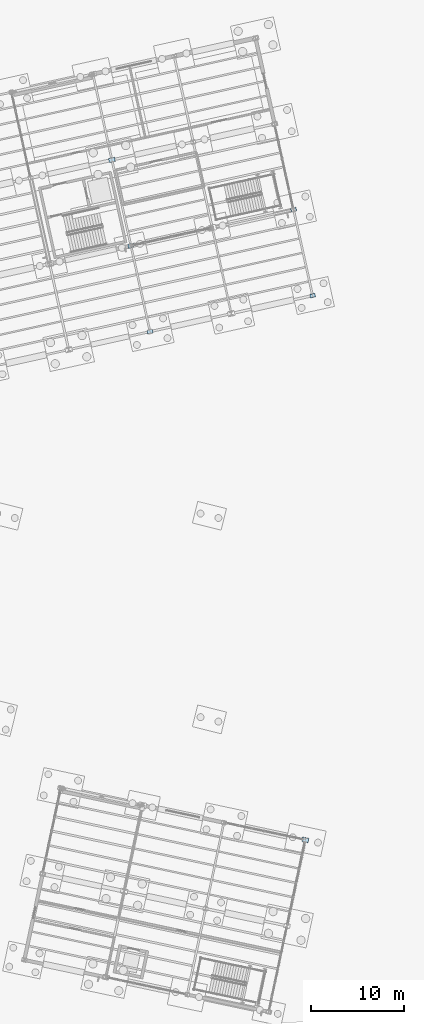
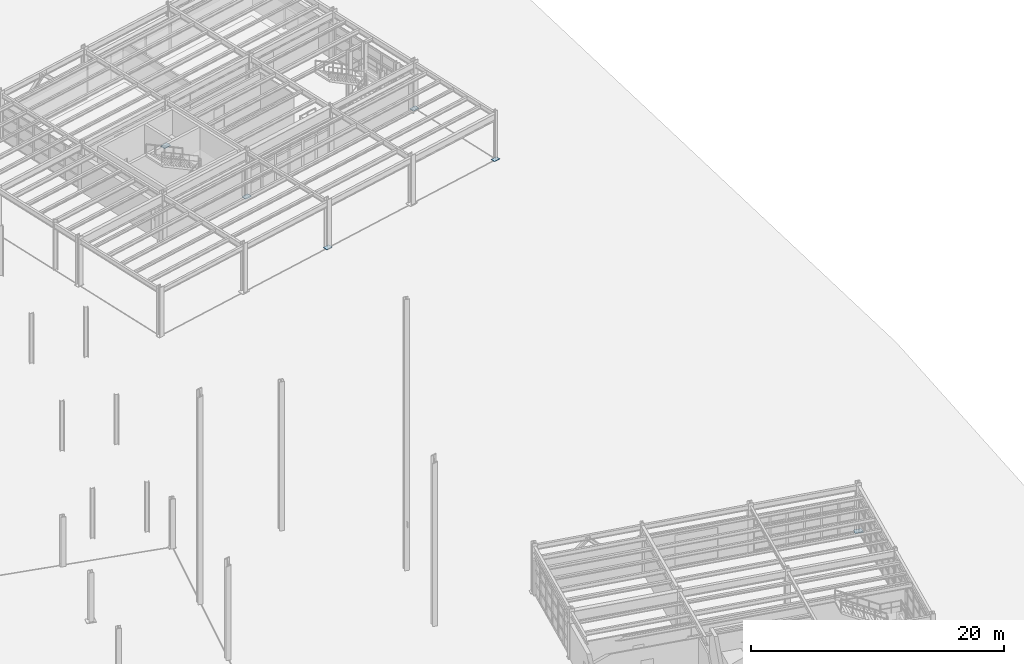
# One storey, part 82 of 108: 6 plates.
"""IFC4 building model written with IfcOpenShell, lengths in metres."""

from ifc_helpers import new_model, si_unit, direction, frame, origin, origin_2d, place, context, subcontext, project, spatial, rectangle, extrude, material, layer, layer_set, type_object, element, save


model = new_model("IFC4")

# Units and contexts
model_context = context("Model", 3, precision=1e-05, world=origin(), true_north=direction((0.0, 1.0)))
body_context = subcontext(model_context, "Body", "Model", "MODEL_VIEW")
ifc_project = project(units=[si_unit("LENGTHUNIT", "METRE"), si_unit("AREAUNIT", "SQUARE_METRE"), si_unit("VOLUMEUNIT", "CUBIC_METRE"), si_unit("PLANEANGLEUNIT", "RADIAN"), si_unit("MASSUNIT", "GRAM", prefix="KILO")], contexts=[model_context])

# Site, building, storey
site_placement = place(None, origin())
site = spatial("IfcSite", under=ifc_project, at=site_placement, CompositionType="ELEMENT")
building_placement = place(site_placement, origin())
building = spatial("IfcBuilding", under=site, at=building_placement, Name="Vireo Bluff Cable Station", CompositionType="ELEMENT")
storey_placement = place(building_placement, origin())
storey = spatial("IfcBuildingStorey", under=building, at=storey_placement, Name="L00", CompositionType="ELEMENT", Elevation=0.0)

# Plates
ifc_material = material(Name="Steel ASTM A572 Gr. 50", Category="steel")
ifc_layer_1 = layer(ifc_material, 0.031982421875, Name="Steel ASTM A572 Gr. 50")
ifc_layer_set_1 = layer_set([ifc_layer_1], Name="Steel ASTM A572 Gr. 50")
plate_type_1 = type_object("IfcPlateType", Name="BASEPLATE-560X400X32", PredefinedType="SHEET", material=ifc_layer_set_1)
plate_1_placement = place(storey_placement, frame((161.146728515625, 81.791748046875, 0.0), z_axis=(0.0, 0.0, 1.0), x_axis=(0.97629600712, 0.216439613938, 0.0)))
element("IfcPlate", 1, at=plate_1_placement, inside=storey, type_object=plate_type_1, Name="V2 column baseplate 82", PredefinedType="SHEET", context=body_context, shape_type="SweptSolid", body=[
    extrude(rectangle(XDim=0.56005859375, YDim=0.39990234375, at=origin_2d()), origin(), (0.0, 0.0, 1.0), 0.031982421875),
])
ifc_layer_2 = layer(ifc_material, 0.033935546875, Name="Steel ASTM A572 Gr. 50")
ifc_layer_set_2 = layer_set([ifc_layer_2], Name="Steel ASTM A572 Gr. 50")
plate_type_2 = type_object("IfcPlateType", Name="BASEPLATE-580X420X34", PredefinedType="SHEET", material=ifc_layer_set_2)
plate_2_placement = place(storey_placement, frame((143.5732421875, 77.89599609375, 0.0), z_axis=(0.0, 0.0, 1.0), x_axis=(0.97629600712, 0.216439613938, 0.0)))
element("IfcPlate", 2, at=plate_2_placement, inside=storey, type_object=plate_type_2, Name="V2 column baseplate 74", PredefinedType="SHEET", context=body_context, shape_type="SweptSolid", body=[
    extrude(rectangle(XDim=0.580078125, YDim=0.419921875, at=origin_2d()), origin(), (0.0, 0.0, 1.0), 0.033935546875),
])
ifc_layer_3 = layer(ifc_material, 0.035888671875, Name="Steel ASTM A572 Gr. 50")
ifc_layer_set_3 = layer_set([ifc_layer_3], Name="Steel ASTM A572 Gr. 50")
plate_type_3 = type_object("IfcPlateType", Name="BASEPLATE-600X440X36", PredefinedType="SHEET", material=ifc_layer_set_3)
plate_3_placement = place(storey_placement, frame((159.090576171875, 91.066650390625, 0.0), z_axis=(0.0, 0.0, 1.0), x_axis=(0.97629600712, 0.216439613938, 0.0)))
element("IfcPlate", 3, at=plate_3_placement, inside=storey, type_object=plate_type_3, Name="V2 column baseplate 83", PredefinedType="SHEET", context=body_context, shape_type="SweptSolid", body=[
    extrude(rectangle(XDim=0.60009765625, YDim=0.43994140625, at=origin_2d()), origin(), (0.0, 0.0, 1.0), 0.035888671875),
])
ifc_layer_4 = layer(ifc_material, 0.0380859375, Name="Steel ASTM A572 Gr. 50")
ifc_layer_set_4 = layer_set([ifc_layer_4], Name="Steel ASTM A572 Gr. 50")
plate_type_4 = type_object("IfcPlateType", Name="BASEPLATE-620X450X38", PredefinedType="SHEET", material=ifc_layer_set_4)
plate_4_placement = place(storey_placement, frame((141.51708984375, 87.170654296875, 0.0), z_axis=(0.0, 0.0, 1.0), x_axis=(0.97629600712, 0.216439613938, 0.0)))
element("IfcPlate", 4, at=plate_4_placement, inside=storey, type_object=plate_type_4, Name="V2 column baseplate 75", PredefinedType="SHEET", context=body_context, shape_type="SweptSolid", body=[
    extrude(rectangle(XDim=0.6201171875, YDim=0.449951171875, at=origin_2d()), origin(), (0.0, 0.0, 1.0), 0.0380859375),
])
ifc_layer_5 = layer(ifc_material, 0.041015625, Name="Steel ASTM A572 Gr. 50")
ifc_layer_set_5 = layer_set([ifc_layer_5], Name="Steel ASTM A572 Gr. 50")
plate_type_5 = type_object("IfcPlateType", Name="BASEPLATE-660X480X41", PredefinedType="SHEET", material=ifc_layer_set_5)
plate_5_placement = place(storey_placement, frame((139.4609375, 96.445556640625, 0.0), z_axis=(0.0, 0.0, 1.0), x_axis=(0.97629600712, 0.216439613938, 0.0)))
element("IfcPlate", 5, at=plate_5_placement, inside=storey, type_object=plate_type_5, Name="V2 column baseplate 76", PredefinedType="SHEET", context=body_context, shape_type="SweptSolid", body=[
    extrude(rectangle(XDim=0.659912109375, YDim=0.47998046875, at=origin_2d()), origin(), (0.0, 0.0, 1.0), 0.041015625),
])
ifc_layer_6 = layer(ifc_material, 0.0419921875, Name="Steel ASTM A572 Gr. 50")
ifc_layer_set_6 = layer_set([ifc_layer_6], Name="Steel ASTM A572 Gr. 50")
plate_type_6 = type_object("IfcPlateType", Name="BASEPLATE-680X500X42", PredefinedType="SHEET", material=ifc_layer_set_6)
plate_6_placement = place(storey_placement, frame((160.3603515625, 22.97119140625, 0.0), z_axis=(0.0, 0.0, 1.0), x_axis=(0.978147600734, -0.207911690818, 0.0)))
element("IfcPlate", 6, at=plate_6_placement, inside=storey, type_object=plate_type_6, Name="V5E column baseplate 277", PredefinedType="SHEET", context=body_context, shape_type="SweptSolid", body=[
    extrude(rectangle(XDim=0.679931640625, YDim=0.5, at=origin_2d()), origin(), (0.0, 0.0, 1.0), 0.0419921875),
])

save(model, "model.ifc")
